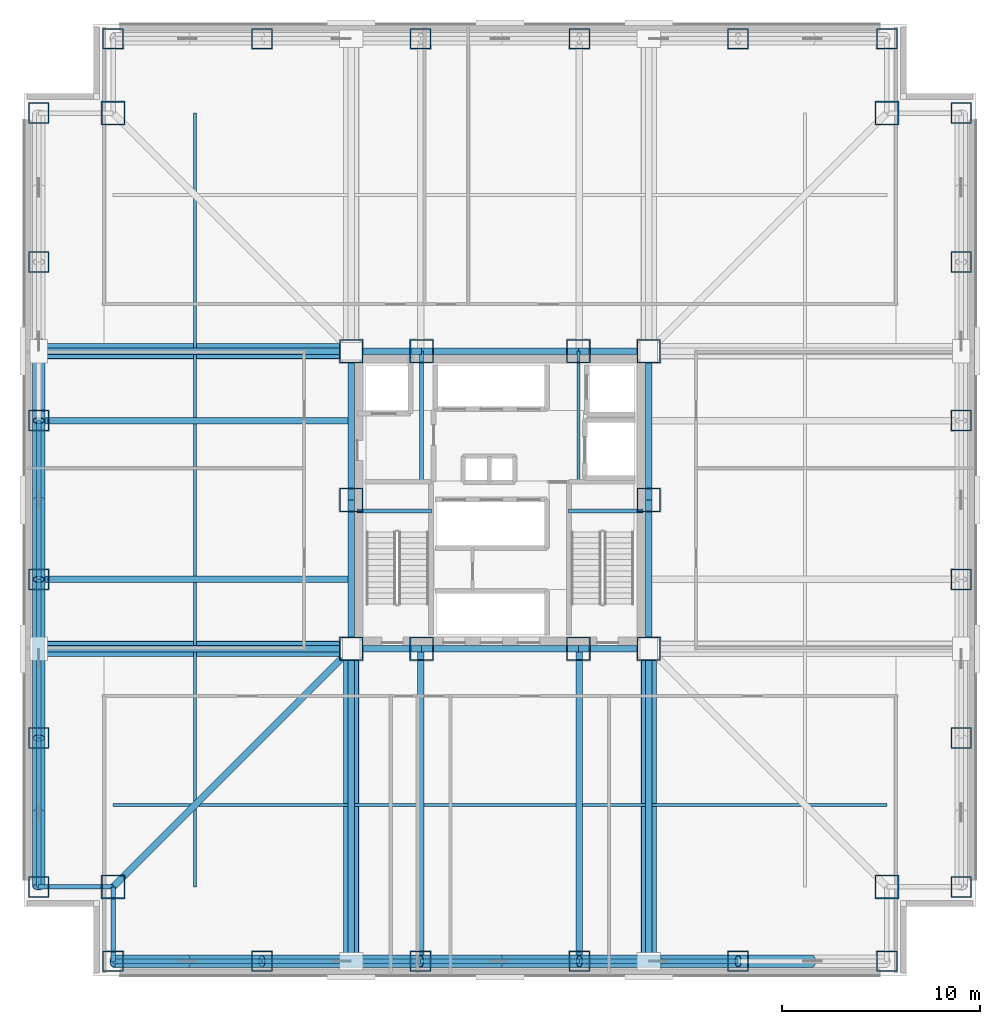
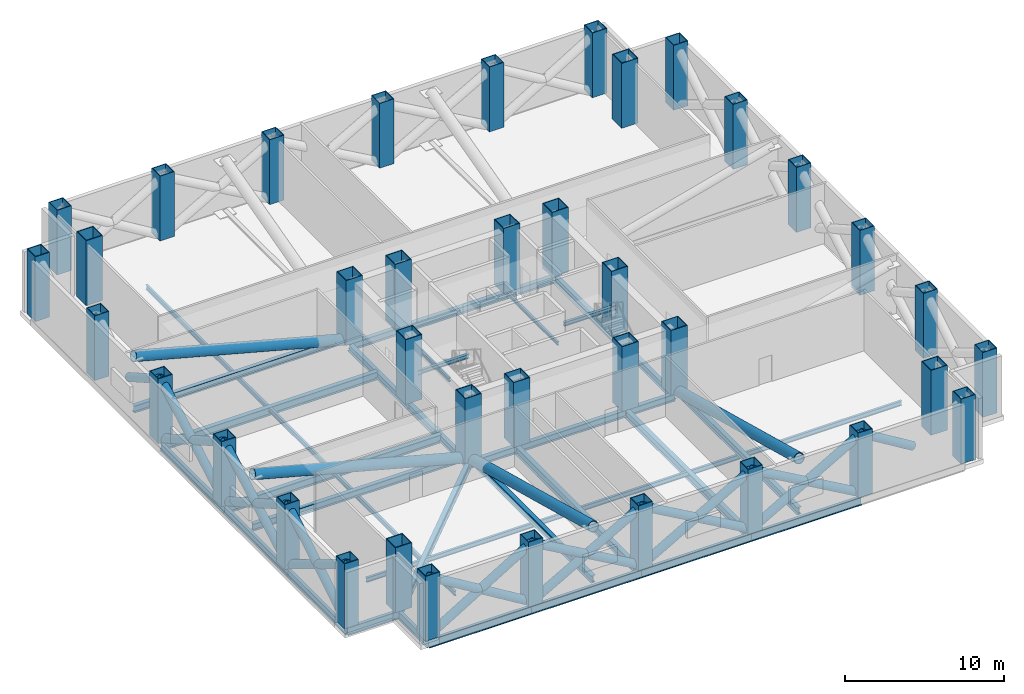
# One storey, part 1 of 8: 38 columns, 31 members, 30 beams.
"""IFC4 building model written with IfcOpenShell, lengths in metres."""

from ifc_helpers import new_model, si_unit, direction, frame, origin, origin_2d, place, context, subcontext, project, spatial, hollow_rectangle, hollow_circle, i_section, extrude, material, material_profile, profile_set, type_object, element, save


model = new_model("IFC4")

# Units and contexts
model_context = context("Model", 3, precision=1e-05, world=origin(), true_north=direction((0.0, 1.0)))
body_context = subcontext(model_context, "Body", "Model", "MODEL_VIEW")
ifc_project = project(units=[si_unit("LENGTHUNIT", "METRE"), si_unit("AREAUNIT", "SQUARE_METRE"), si_unit("VOLUMEUNIT", "CUBIC_METRE"), si_unit("PLANEANGLEUNIT", "RADIAN"), si_unit("MASSUNIT", "GRAM", prefix="KILO")], contexts=[model_context])

# Site, building, storey
site_placement = place(None, origin())
site = spatial("IfcSite", under=ifc_project, at=site_placement, CompositionType="ELEMENT")
building_placement = place(site_placement, origin())
building = spatial("IfcBuilding", under=site, at=building_placement, Name="Trevonay Congress Spire", CompositionType="ELEMENT")
storey_placement = place(building_placement, frame((0.0, 0.0, 83.0)))
storey = spatial("IfcBuildingStorey", under=building, at=storey_placement, Name="L21", CompositionType="ELEMENT", Elevation=83.0)

# Columns
ifc_material = material(Name="Steel ASTM A572 Grade 50", Category="steel")
ifc_material_profile_1 = material_profile(ifc_material, hollow_rectangle(XDim=1.199951171875, YDim=1.199951171875, WallThickness=0.054931640625, at=origin_2d()), Name="BOX 1200x1200x55")
ifc_profile_set_1 = profile_set([ifc_material_profile_1], Name="Steel ASTM A572 Grade 50")
column_type_1 = type_object("IfcColumnType", Name="COL-CORE-BOX1200", PredefinedType="COLUMN", material=ifc_profile_set_1)
for number, where, z_axis, x_axis, name in (
    (1, (-7.5, -7.5, 0.0), (0.0, 0.0, 1.0), (1.0, 0.0, 0.0), "L21 column C02 at CC-SW"),
    (2, (-3.949951171875, -7.5, 0.0), (0.0, 0.0, 1.0), (1.0, 0.0, 0.0), "L21 column C02 at CC-SMW"),
    (3, (3.949951171875, -7.5, 0.0), (0.0, 0.0, 1.0), (1.0, 0.0, 0.0), "L21 column C02 at CC-SME"),
    (4, (7.5, -7.5, 0.0), (0.0, 0.0, 1.0), (1.0, 0.0, 0.0), "L21 column C02 at CC-SE"),
    (5, (7.5, 0.0, 0.0), (0.0, 0.0, 1.0), (1.0, 0.0, 0.0), "L21 column C02 at CC-E"),
    (6, (7.5, 7.5, 0.0), (0.0, 0.0, 1.0), (1.0, 0.0, 0.0), "L21 column C02 at CC-NE"),
    (7, (3.949951171875, 7.5, 0.0), (0.0, 0.0, 1.0), (1.0, 0.0, 0.0), "L21 column C02 at CC-NME"),
    (8, (-3.949951171875, 7.5, 0.0), (0.0, 0.0, 1.0), (1.0, 0.0, 0.0), "L21 column C02 at CC-NMW"),
    (9, (-7.5, 7.5, 0.0), (0.0, 0.0, 1.0), (1.0, 0.0, 0.0), "L21 column C02 at CC-NW"),
    (10, (-7.5, 0.0, 0.0), (0.0, 0.0, 1.0), (1.0, 0.0, 0.0), "L21 column C02 at CC-W"),
):
    element("IfcColumn", number, at=place(storey_placement, frame(where, z_axis=z_axis, x_axis=x_axis)), inside=storey, type_object=column_type_1, Name=name, PredefinedType="COLUMN", context=body_context, shape_type="SweptSolid", body=[
        extrude(hollow_rectangle(XDim=1.199951171875, YDim=1.199951171875, WallThickness=0.054931640625, at=origin_2d()), origin(), (0.0, 0.0, 1.0), 5.0),
    ])
ifc_material_profile_2 = material_profile(ifc_material, hollow_rectangle(XDim=1.199951171875, YDim=1.199951171875, WallThickness=0.054931640625, at=origin_2d()), Name="BOX 1200x1200x55")
ifc_profile_set_2 = profile_set([ifc_material_profile_2], Name="Steel ASTM A572 Grade 50")
column_type_2 = type_object("IfcColumnType", Name="COL-NOTCH-BOX1200", PredefinedType="COLUMN", material=ifc_profile_set_2)
for number, where, z_axis, x_axis, name in (
    (11, (-19.5, -19.5, 0.0), (0.0, 0.0, 1.0), (1.0, 0.0, 0.0), "L21 column C19 at NC-SW"),
    (12, (19.5, -19.5, 0.0), (0.0, 0.0, 1.0), (1.0, 0.0, 0.0), "L21 column C19 at NC-SE"),
    (13, (19.5, 19.5, 0.0), (0.0, 0.0, 1.0), (1.0, 0.0, 0.0), "L21 column C19 at NC-NE"),
    (14, (-19.5, 19.5, 0.0), (0.0, 0.0, 1.0), (1.0, 0.0, 0.0), "L21 column C19 at NC-NW"),
):
    element("IfcColumn", number, at=place(storey_placement, frame(where, z_axis=z_axis, x_axis=x_axis)), inside=storey, type_object=column_type_2, Name=name, PredefinedType="COLUMN", context=body_context, shape_type="SweptSolid", body=[
        extrude(hollow_rectangle(XDim=1.199951171875, YDim=1.199951171875, WallThickness=0.054931640625, at=origin_2d()), origin(), (0.0, 0.0, 1.0), 5.0),
    ])
ifc_material_profile_3 = material_profile(ifc_material, hollow_rectangle(XDim=1.050048828125, YDim=1.050048828125, WallThickness=0.050048828125, at=origin_2d()), Name="BOX 1050x1050x50")
ifc_profile_set_3 = profile_set([ifc_material_profile_3], Name="Steel ASTM A572 Grade 50")
column_type_3 = type_object("IfcColumnType", Name="COL-TUBE-BOX1050", PredefinedType="COLUMN", material=ifc_profile_set_3)
for number, where, z_axis, x_axis, name in (
    (15, (-19.5, -23.25, 0.0), (0.0, 0.0, 1.0), (1.0, 0.0, 0.0), "L21 column C14 at TS-1"),
    (16, (-19.5, 23.25, 0.0), (0.0, 0.0, 1.0), (1.0, 0.0, 0.0), "L21 column C14 at TN-1"),
    (17, (-23.25, -19.5, 0.0), (0.0, 0.0, 1.0), (1.0, 0.0, 0.0), "L21 column C14 at TW-1"),
    (18, (23.25, -19.5, 0.0), (0.0, 0.0, 1.0), (1.0, 0.0, 0.0), "L21 column C14 at TE-1"),
    (19, (-12.0, -23.25, 0.0), (0.0, 0.0, 1.0), (1.0, 0.0, 0.0), "L21 column C14 at TS-2"),
    (20, (-12.0, 23.25, 0.0), (0.0, 0.0, 1.0), (1.0, 0.0, 0.0), "L21 column C14 at TN-2"),
    (21, (-23.25, -12.0, 0.0), (0.0, 0.0, 1.0), (1.0, 0.0, 0.0), "L21 column C14 at TW-2"),
    (22, (23.25, -12.0, 0.0), (0.0, 0.0, 1.0), (1.0, 0.0, 0.0), "L21 column C14 at TE-2"),
    (23, (-4.0, -23.25, 0.0), (0.0, 0.0, 1.0), (1.0, 0.0, 0.0), "L21 column C14 at TS-3"),
    (24, (-4.0, 23.25, 0.0), (0.0, 0.0, 1.0), (1.0, 0.0, 0.0), "L21 column C14 at TN-3"),
    (25, (-23.25, -4.0, 0.0), (0.0, 0.0, 1.0), (1.0, 0.0, 0.0), "L21 column C14 at TW-3"),
    (26, (23.25, -4.0, 0.0), (0.0, 0.0, 1.0), (1.0, 0.0, 0.0), "L21 column C14 at TE-3"),
    (27, (4.0, -23.25, 0.0), (0.0, 0.0, 1.0), (1.0, 0.0, 0.0), "L21 column C14 at TS-4"),
    (28, (4.0, 23.25, 0.0), (0.0, 0.0, 1.0), (1.0, 0.0, 0.0), "L21 column C14 at TN-4"),
    (29, (-23.25, 4.0, 0.0), (0.0, 0.0, 1.0), (1.0, 0.0, 0.0), "L21 column C14 at TW-4"),
    (30, (23.25, 4.0, 0.0), (0.0, 0.0, 1.0), (1.0, 0.0, 0.0), "L21 column C14 at TE-4"),
    (31, (12.0, -23.25, 0.0), (0.0, 0.0, 1.0), (1.0, 0.0, 0.0), "L21 column C14 at TS-5"),
    (32, (12.0, 23.25, 0.0), (0.0, 0.0, 1.0), (1.0, 0.0, 0.0), "L21 column C14 at TN-5"),
    (33, (-23.25, 12.0, 0.0), (0.0, 0.0, 1.0), (1.0, 0.0, 0.0), "L21 column C14 at TW-5"),
    (34, (23.25, 12.0, 0.0), (0.0, 0.0, 1.0), (1.0, 0.0, 0.0), "L21 column C14 at TE-5"),
    (35, (19.5, -23.25, 0.0), (0.0, 0.0, 1.0), (1.0, 0.0, 0.0), "L21 column C14 at TS-6"),
    (36, (19.5, 23.25, 0.0), (0.0, 0.0, 1.0), (1.0, 0.0, 0.0), "L21 column C14 at TN-6"),
    (37, (-23.25, 19.5, 0.0), (0.0, 0.0, 1.0), (1.0, 0.0, 0.0), "L21 column C14 at TW-6"),
    (38, (23.25, 19.5, 0.0), (0.0, 0.0, 1.0), (1.0, 0.0, 0.0), "L21 column C14 at TE-6"),
):
    element("IfcColumn", number, at=place(storey_placement, frame(where, z_axis=z_axis, x_axis=x_axis)), inside=storey, type_object=column_type_3, Name=name, PredefinedType="COLUMN", context=body_context, shape_type="SweptSolid", body=[
        extrude(hollow_rectangle(XDim=1.050048828125, YDim=1.050048828125, WallThickness=0.050048828125, at=origin_2d()), origin(), (0.0, 0.0, 1.0), 5.0),
    ])

# Beams
ifc_material_profile_4 = material_profile(ifc_material, i_section(OverallWidth=0.31201171875, OverallDepth=0.54296875, WebThickness=0.0126953125, FlangeThickness=0.020263671875, FilletRadius=0.014892578125, at=origin_2d()), Name="W530x150")
ifc_profile_set_4 = profile_set([ifc_material_profile_4], Name="Steel ASTM A572 Grade 50")
beam_type_1 = type_object("IfcBeamType", Name="BM-GIRD-W530X150", PredefinedType="BEAM", material=ifc_profile_set_4)
beam_1_placement = place(storey_placement, frame((-7.5, -7.5, -0.62158203125), z_axis=(1.0, 0.0, 0.0), x_axis=(0.0, 1.0, 0.0)))
element("IfcBeam", 39, at=beam_1_placement, inside=storey, type_object=beam_type_1, Name="L21 structural beam BM-L21-CR-S1", PredefinedType="BEAM", context=body_context, shape_type="SweptSolid", body=[
    extrude(i_section(OverallWidth=0.31201171875, OverallDepth=0.54296875, WebThickness=0.0126953125, FlangeThickness=0.020263671875, FilletRadius=0.014892578125, at=origin_2d()), origin(), (0.0, 0.0, 1.0), 3.550048828125),
])
beam_2_placement = place(storey_placement, frame((-3.949951171875, -7.5, -0.62158203125), z_axis=(1.0, 0.0, 0.0), x_axis=(0.0, 1.0, 0.0)))
element("IfcBeam", 40, at=beam_2_placement, inside=storey, type_object=beam_type_1, Name="L21 structural beam BM-L21-CR-S2", PredefinedType="BEAM", context=body_context, shape_type="SweptSolid", body=[
    extrude(i_section(OverallWidth=0.31201171875, OverallDepth=0.54296875, WebThickness=0.0126953125, FlangeThickness=0.020263671875, FilletRadius=0.014892578125, at=origin_2d()), origin(), (0.0, 0.0, 1.0), 7.89990234375),
])
for number, where, z_axis, x_axis, name in (
    (41, (3.949951171875, -7.5, -0.62158203125), (1.0, 0.0, 0.0), (0.0, 1.0, 0.0), "L21 structural beam BM-L21-CR-S3"),
    (42, (-7.5, 7.5, -0.62158203125), (1.0, 0.0, 0.0), (0.0, 1.0, 0.0), "L21 structural beam BM-L21-CR-N1"),
):
    element("IfcBeam", number, at=place(storey_placement, frame(where, z_axis=z_axis, x_axis=x_axis)), inside=storey, type_object=beam_type_1, Name=name, PredefinedType="BEAM", context=body_context, shape_type="SweptSolid", body=[
        extrude(i_section(OverallWidth=0.31201171875, OverallDepth=0.54296875, WebThickness=0.0126953125, FlangeThickness=0.020263671875, FilletRadius=0.014892578125, at=origin_2d()), origin(), (0.0, 0.0, 1.0), 3.550048828125),
    ])
beam_3_placement = place(storey_placement, frame((-3.949951171875, 7.5, -0.62158203125), z_axis=(1.0, 0.0, 0.0), x_axis=(0.0, 1.0, 0.0)))
element("IfcBeam", 43, at=beam_3_placement, inside=storey, type_object=beam_type_1, Name="L21 structural beam BM-L21-CR-N2", PredefinedType="BEAM", context=body_context, shape_type="SweptSolid", body=[
    extrude(i_section(OverallWidth=0.31201171875, OverallDepth=0.54296875, WebThickness=0.0126953125, FlangeThickness=0.020263671875, FilletRadius=0.014892578125, at=origin_2d()), origin(), (0.0, 0.0, 1.0), 7.89990234375),
])
beam_4_placement = place(storey_placement, frame((3.949951171875, 7.5, -0.62158203125), z_axis=(1.0, 0.0, 0.0), x_axis=(0.0, 1.0, 0.0)))
element("IfcBeam", 44, at=beam_4_placement, inside=storey, type_object=beam_type_1, Name="L21 structural beam BM-L21-CR-N3", PredefinedType="BEAM", context=body_context, shape_type="SweptSolid", body=[
    extrude(i_section(OverallWidth=0.31201171875, OverallDepth=0.54296875, WebThickness=0.0126953125, FlangeThickness=0.020263671875, FilletRadius=0.014892578125, at=origin_2d()), origin(), (0.0, 0.0, 1.0), 3.550048828125),
])
for number, where, z_axis, x_axis, name in (
    (45, (-7.5, -7.5, -0.62158203125), (0.0, 1.0, 0.0), (-1.0, 0.0, 0.0), "L21 structural beam BM-L21-CR-W1"),
    (46, (-7.5, 0.0, -0.62158203125), (0.0, 1.0, 0.0), (-1.0, 0.0, 0.0), "L21 structural beam BM-L21-CR-W2"),
    (47, (7.5, -7.5, -0.62158203125), (0.0, 1.0, 0.0), (-1.0, 0.0, 0.0), "L21 structural beam BM-L21-CR-E1"),
    (48, (7.5, 0.0, -0.62158203125), (0.0, 1.0, 0.0), (-1.0, 0.0, 0.0), "L21 structural beam BM-L21-CR-E2"),
):
    element("IfcBeam", number, at=place(storey_placement, frame(where, z_axis=z_axis, x_axis=x_axis)), inside=storey, type_object=beam_type_1, Name=name, PredefinedType="BEAM", context=body_context, shape_type="SweptSolid", body=[
        extrude(i_section(OverallWidth=0.31201171875, OverallDepth=0.54296875, WebThickness=0.0126953125, FlangeThickness=0.020263671875, FilletRadius=0.014892578125, at=origin_2d()), origin(), (0.0, 0.0, 1.0), 7.5),
    ])
ifc_material_profile_5 = material_profile(ifc_material, i_section(OverallWidth=0.324951171875, OverallDepth=0.615966796875, WebThickness=0.013916015625, FlangeThickness=0.021484375, FilletRadius=0.01806640625, at=origin_2d()), Name="W610x174")
ifc_profile_set_5 = profile_set([ifc_material_profile_5], Name="Steel ASTM A572 Grade 50")
beam_type_2 = type_object("IfcBeamType", Name="BM-GIRD-W610X174", PredefinedType="BEAM", material=ifc_profile_set_5)
beam_5_placement = place(storey_placement, frame((-7.5, -7.5, -0.657958984375), z_axis=(-0.707106781187, -0.707106781187, 0.0), x_axis=(0.707106781187, -0.707106781187, 0.0)))
element("IfcBeam", 49, at=beam_5_placement, inside=storey, type_object=beam_type_2, Name="L21 structural beam BM-L21-CDSW", PredefinedType="BEAM", context=body_context, shape_type="SweptSolid", body=[
    extrude(i_section(OverallWidth=0.324951171875, OverallDepth=0.615966796875, WebThickness=0.013916015625, FlangeThickness=0.021484375, FilletRadius=0.01806640625, at=origin_2d()), origin(), (0.0, 0.0, 1.0), 16.970458984375),
])
for number, where, z_axis, x_axis, name in (
    (50, (-4.0, -7.5, -0.657958984375), (0.0, -1.0, 0.0), (1.0, 0.0, 0.0), "L21 structural beam BM-L21-GS-M"),
    (51, (-7.5, -4.0, -0.657958984375), (-1.0, 0.0, 0.0), (0.0, -1.0, 0.0), "L21 structural beam BM-L21-GW-M"),
    (52, (4.0, -7.5, -0.657958984375), (0.0, -1.0, 0.0), (1.0, 0.0, 0.0), "L21 structural beam BM-L21-GS-P"),
    (53, (-7.5, 4.0, -0.657958984375), (-1.0, 0.0, 0.0), (0.0, -1.0, 0.0), "L21 structural beam BM-L21-GW-P"),
):
    element("IfcBeam", number, at=place(storey_placement, frame(where, z_axis=z_axis, x_axis=x_axis)), inside=storey, type_object=beam_type_2, Name=name, PredefinedType="BEAM", context=body_context, shape_type="SweptSolid", body=[
        extrude(i_section(OverallWidth=0.324951171875, OverallDepth=0.615966796875, WebThickness=0.013916015625, FlangeThickness=0.021484375, FilletRadius=0.01806640625, at=origin_2d()), origin(), (0.0, 0.0, 1.0), 15.75),
    ])
ifc_material_profile_6 = material_profile(ifc_material, i_section(OverallWidth=0.22998046875, OverallDepth=0.616943359375, WebThickness=0.01318359375, FlangeThickness=0.022216796875, FilletRadius=0.01611328125, at=origin_2d()), Name="W610x140")
ifc_profile_set_6 = profile_set([ifc_material_profile_6], Name="Steel ASTM A572 Grade 50")
beam_type_3 = type_object("IfcBeamType", Name="BM-RING-W610X140", PredefinedType="BEAM", material=ifc_profile_set_6)
for number, where, z_axis, x_axis, name in (
    (54, (-19.5, -23.25, -0.658447265625), (1.0, 0.0, 0.0), (0.0, 1.0, 0.0), "L21 structural beam BM-L21-PS1"),
    (55, (-23.25, -19.5, -0.658447265625), (0.0, 1.0, 0.0), (-1.0, 0.0, 0.0), "L21 structural beam BM-L21-PW1"),
):
    element("IfcBeam", number, at=place(storey_placement, frame(where, z_axis=z_axis, x_axis=x_axis)), inside=storey, type_object=beam_type_3, Name=name, PredefinedType="BEAM", context=body_context, shape_type="SweptSolid", body=[
        extrude(i_section(OverallWidth=0.22998046875, OverallDepth=0.616943359375, WebThickness=0.01318359375, FlangeThickness=0.022216796875, FilletRadius=0.01611328125, at=origin_2d()), origin(), (0.0, 0.0, 1.0), 7.5),
    ])
for number, where, z_axis, x_axis, name in (
    (56, (-12.0, -23.25, -0.658447265625), (1.0, 0.0, 0.0), (0.0, 1.0, 0.0), "L21 structural beam BM-L21-PS2"),
    (57, (-23.25, -12.0, -0.658447265625), (0.0, 1.0, 0.0), (-1.0, 0.0, 0.0), "L21 structural beam BM-L21-PW2"),
    (58, (-4.0, -23.25, -0.658447265625), (1.0, 0.0, 0.0), (0.0, 1.0, 0.0), "L21 structural beam BM-L21-PS3"),
    (59, (-23.25, -4.0, -0.658447265625), (0.0, 1.0, 0.0), (-1.0, 0.0, 0.0), "L21 structural beam BM-L21-PW3"),
    (60, (4.0, -23.25, -0.658447265625), (1.0, 0.0, 0.0), (0.0, 1.0, 0.0), "L21 structural beam BM-L21-PS4"),
):
    element("IfcBeam", number, at=place(storey_placement, frame(where, z_axis=z_axis, x_axis=x_axis)), inside=storey, type_object=beam_type_3, Name=name, PredefinedType="BEAM", context=body_context, shape_type="SweptSolid", body=[
        extrude(i_section(OverallWidth=0.22998046875, OverallDepth=0.616943359375, WebThickness=0.01318359375, FlangeThickness=0.022216796875, FilletRadius=0.01611328125, at=origin_2d()), origin(), (0.0, 0.0, 1.0), 8.0),
    ])
for number, where, z_axis, x_axis, name in (
    (61, (-19.5, -23.25, -0.658447265625), (0.0, 1.0, 0.0), (-1.0, 0.0, 0.0), "L21 structural beam BM-L21-N1SW"),
    (62, (-23.25, -19.5, -0.658447265625), (1.0, 0.0, 0.0), (0.0, 1.0, 0.0), "L21 structural beam BM-L21-N2SW"),
):
    element("IfcBeam", number, at=place(storey_placement, frame(where, z_axis=z_axis, x_axis=x_axis)), inside=storey, type_object=beam_type_3, Name=name, PredefinedType="BEAM", context=body_context, shape_type="SweptSolid", body=[
        extrude(i_section(OverallWidth=0.22998046875, OverallDepth=0.616943359375, WebThickness=0.01318359375, FlangeThickness=0.022216796875, FilletRadius=0.01611328125, at=origin_2d()), origin(), (0.0, 0.0, 1.0), 3.75),
    ])
ifc_material_profile_7 = material_profile(ifc_material, i_section(OverallWidth=0.172119140625, OverallDepth=0.35791015625, WebThickness=0.0078125, FlangeThickness=0.01318359375, FilletRadius=0.011962890625, at=origin_2d()), Name="W360x57.8")
ifc_profile_set_7 = profile_set([ifc_material_profile_7], Name="Steel ASTM A572 Grade 50")
beam_type_4 = type_object("IfcBeamType", Name="JS-COMP-W360X57", PredefinedType="JOIST", material=ifc_profile_set_7)
for number, where, z_axis, x_axis, name in (
    (63, (-19.5, -15.375, -0.529052734375), (1.0, 0.0, 0.0), (0.0, 1.0, 0.0), "L21 structural beam JS-L21-RING-S"),
    (64, (-15.375, -19.5, -0.529052734375), (0.0, 1.0, 0.0), (-1.0, 0.0, 0.0), "L21 structural beam JS-L21-RING-W"),
):
    element("IfcBeam", number, at=place(storey_placement, frame(where, z_axis=z_axis, x_axis=x_axis)), inside=storey, type_object=beam_type_4, Name=name, PredefinedType="JOIST", context=body_context, shape_type="SweptSolid", body=[
        extrude(i_section(OverallWidth=0.172119140625, OverallDepth=0.35791015625, WebThickness=0.0078125, FlangeThickness=0.01318359375, FilletRadius=0.011962890625, at=origin_2d()), origin(), (0.0, 0.0, 1.0), 39.0),
    ])
ifc_material_profile_8 = material_profile(ifc_material, i_section(OverallWidth=0.2041015625, OverallDepth=0.305908203125, WebThickness=0.008544921875, FlangeThickness=0.0146484375, FilletRadius=0.010986328125, at=origin_2d()), Name="W310x67")
ifc_profile_set_8 = profile_set([ifc_material_profile_8], Name="Steel ASTM A572 Grade 50")
beam_type_5 = type_object("IfcBeamType", Name="LN-CORE-W310X67", PredefinedType="LINTEL", material=ifc_profile_set_8)
beam_6_placement = place(storey_placement, frame((-3.949951171875, 1.0, -0.5029296875), z_axis=(0.0, 1.0, 0.0), x_axis=(-1.0, 0.0, 0.0)))
element("IfcBeam", 65, at=beam_6_placement, inside=storey, type_object=beam_type_5, Name="L21 structural beam LIN-L21-W", PredefinedType="LINTEL", context=body_context, shape_type="SweptSolid", body=[
    extrude(i_section(OverallWidth=0.2041015625, OverallDepth=0.305908203125, WebThickness=0.008544921875, FlangeThickness=0.0146484375, FilletRadius=0.010986328125, at=origin_2d()), origin(), (0.0, 0.0, 1.0), 6.5),
])
for number, where, z_axis, x_axis, name in (
    (66, (-7.199951171875, -0.550048828125, 2.14697265625), (1.0, 0.0, 0.0), (0.0, 1.0, 0.0), "L21 structural beam BM-L21-HL-ST1"),
    (67, (3.449951171875, -0.550048828125, 2.14697265625), (1.0, 0.0, 0.0), (0.0, 1.0, 0.0), "L21 structural beam BM-L21-HL-ST2"),
):
    element("IfcBeam", number, at=place(storey_placement, frame(where, z_axis=z_axis, x_axis=x_axis)), inside=storey, type_object=beam_type_5, Name=name, PredefinedType="LINTEL", context=body_context, shape_type="SweptSolid", body=[
        extrude(i_section(OverallWidth=0.2041015625, OverallDepth=0.305908203125, WebThickness=0.008544921875, FlangeThickness=0.0146484375, FilletRadius=0.010986328125, at=origin_2d()), origin(), (0.0, 0.0, 1.0), 3.75),
    ])
ifc_material_profile_9 = material_profile(ifc_material, i_section(OverallWidth=0.14794921875, OverallDepth=0.26611328125, WebThickness=0.007568359375, FlangeThickness=0.012939453125, FilletRadius=0.010009765625, at=origin_2d()), Name="W250x44.8")
ifc_profile_set_9 = profile_set([ifc_material_profile_9], Name="Steel ASTM A572 Grade 50")
beam_type_6 = type_object("IfcBeamType", Name="LN-DOOR-W250X45", PredefinedType="LINTEL", material=ifc_profile_set_9)
beam_7_placement = place(storey_placement, frame((3.949951171875, 1.0, -0.48291015625), z_axis=(0.0, 1.0, 0.0), x_axis=(-1.0, 0.0, 0.0)))
element("IfcBeam", 68, at=beam_7_placement, inside=storey, type_object=beam_type_6, Name="L21 structural beam LIN-L21-E", PredefinedType="LINTEL", context=body_context, shape_type="SweptSolid", body=[
    extrude(i_section(OverallWidth=0.14794921875, OverallDepth=0.26611328125, WebThickness=0.007568359375, FlangeThickness=0.012939453125, FilletRadius=0.010009765625, at=origin_2d()), origin(), (0.0, 0.0, 1.0), 6.5),
])

# Members
ifc_material_profile_10 = material_profile(ifc_material, i_section(OverallWidth=0.31201171875, OverallDepth=0.54296875, WebThickness=0.0126953125, FlangeThickness=0.020263671875, FilletRadius=0.014892578125, at=origin_2d()), Name="W530x150")
ifc_profile_set_10 = profile_set([ifc_material_profile_10], Name="Steel ASTM A572 Grade 50")
member_type_1 = type_object("IfcMemberType", Name="MBR-CHORD-HSS500", PredefinedType="CHORD", material=ifc_profile_set_10)
for number, where, z_axis, x_axis, name in (
    (69, (-7.5, -7.5, 0.10009765625), (0.0, -1.0, 0.0), (1.0, 0.0, 0.0), "L21 outrigger bottom chord OS-W"),
    (70, (7.5, -7.5, 0.10009765625), (0.0, -1.0, 0.0), (1.0, 0.0, 0.0), "L21 outrigger bottom chord OS-E"),
    (71, (-7.5, -7.5, 0.10009765625), (-1.0, 0.0, 0.0), (0.0, -1.0, 0.0), "L21 outrigger bottom chord OW-S"),
    (72, (-7.5, 7.5, 0.10009765625), (-1.0, 0.0, 0.0), (0.0, -1.0, 0.0), "L21 outrigger bottom chord OW-N"),
):
    element("IfcMember", number, at=place(storey_placement, frame(where, z_axis=z_axis, x_axis=x_axis)), inside=storey, type_object=member_type_1, Name=name, PredefinedType="CHORD", context=body_context, shape_type="SweptSolid", body=[
        extrude(i_section(OverallWidth=0.31201171875, OverallDepth=0.54296875, WebThickness=0.0126953125, FlangeThickness=0.020263671875, FilletRadius=0.014892578125, at=origin_2d()), origin(), (0.0, 0.0, 1.0), 15.75),
    ])
ifc_material_profile_11 = material_profile(ifc_material, hollow_circle(Radius=0.381103515625, WallThickness=0.0400390625, at=origin_2d()), Name="CHS 762x40")
ifc_profile_set_11 = profile_set([ifc_material_profile_11], Name="Steel ASTM A572 Grade 50")
member_type_2 = type_object("IfcMemberType", Name="MBR-OUTRIG-CHS762", PredefinedType="BRACE", material=ifc_profile_set_11)
for number, where, z_axis, x_axis, name in (
    (73, (-7.5, -7.5, -0.050048828125), (0.0, -0.96623568537, 0.25765985391), (1.0, 0.0, 0.0), "L21 outrigger diagonal OS-W"),
    (74, (7.5, -7.5, -0.050048828125), (0.0, -0.96623568537, 0.25765985391), (1.0, 0.0, 0.0), "L21 outrigger diagonal OS-E"),
    (75, (-7.5, -7.5, -0.050048828125), (-0.96623568537, 0.0, 0.25765985391), (0.0, -1.0, 0.0), "L21 outrigger diagonal OW-S"),
    (76, (-7.5, 7.5, -0.050048828125), (-0.96623568537, 0.0, 0.25765985391), (0.0, -1.0, 0.0), "L21 outrigger diagonal OW-N"),
):
    element("IfcMember", number, at=place(storey_placement, frame(where, z_axis=z_axis, x_axis=x_axis)), inside=storey, type_object=member_type_2, Name=name, PredefinedType="BRACE", context=body_context, shape_type="SweptSolid", body=[
        extrude(hollow_circle(Radius=0.381103515625, WallThickness=0.0400390625, at=origin_2d()), origin(), (0.0, 0.0, 1.0), 16.30029296875),
    ])
ifc_material_profile_12 = material_profile(ifc_material, hollow_circle(Radius=0.304931640625, WallThickness=0.031982421875, at=origin_2d()), Name="CHS 610x32")
ifc_profile_set_12 = profile_set([ifc_material_profile_12], Name="Steel ASTM A572 Grade 50")
member_type_3 = type_object("IfcMemberType", Name="MBR-TUBE-CHS610", PredefinedType="BRACE", material=ifc_profile_set_12)
member_1_placement = place(storey_placement, frame((-19.5, -23.25, -0.050048828125), z_axis=(0.85496560345, 0.0, 0.518684698942), x_axis=(0.0, 1.0, 0.0)))
element("IfcMember", 77, at=member_1_placement, inside=storey, type_object=member_type_3, Name="L21 continuous belt truss diagonal S0-1", PredefinedType="BRACE", context=body_context, shape_type="SweptSolid", body=[
    extrude(hollow_circle(Radius=0.304931640625, WallThickness=0.031982421875, at=origin_2d()), origin(), (0.0, 0.0, 1.0), 8.772216796875),
])
member_2_placement = place(storey_placement, frame((-19.5, -23.25, 4.5), z_axis=(0.854977945215, 0.0, -0.518664355046), x_axis=(0.0, 1.0, 0.0)))
element("IfcMember", 78, at=member_2_placement, inside=storey, type_object=member_type_3, Name="L21 split belt truss diagonal segment S0-2A", PredefinedType="BRACE", context=body_context, shape_type="SweptSolid", body=[
    extrude(hollow_circle(Radius=0.304931640625, WallThickness=0.031982421875, at=origin_2d()), origin(), (0.0, 0.0, 1.0), 4.385986328125),
])
member_3_placement = place(storey_placement, frame((-15.75, -23.25, 2.22509765625), z_axis=(0.854953261558, 0.0, -0.518705041957), x_axis=(0.0, 1.0, 0.0)))
element("IfcMember", 79, at=member_3_placement, inside=storey, type_object=member_type_3, Name="L21 split belt truss diagonal segment S0-2B", PredefinedType="BRACE", context=body_context, shape_type="SweptSolid", body=[
    extrude(hollow_circle(Radius=0.304931640625, WallThickness=0.031982421875, at=origin_2d()), origin(), (0.0, 0.0, 1.0), 4.38623046875),
])
member_4_placement = place(storey_placement, frame((-12.0, -23.25, -0.050048828125), z_axis=(0.869242062276, 0.0, 0.494386728352), x_axis=(0.0, 1.0, 0.0)))
element("IfcMember", 80, at=member_4_placement, inside=storey, type_object=member_type_3, Name="L21 continuous belt truss diagonal S1-1", PredefinedType="BRACE", context=body_context, shape_type="SweptSolid", body=[
    extrude(hollow_circle(Radius=0.304931640625, WallThickness=0.031982421875, at=origin_2d()), origin(), (0.0, 0.0, 1.0), 9.203369140625),
])
member_5_placement = place(storey_placement, frame((-12.0, -23.25, 4.5), z_axis=(0.869253462023, 0.0, -0.494366684517), x_axis=(0.0, 1.0, 0.0)))
element("IfcMember", 81, at=member_5_placement, inside=storey, type_object=member_type_3, Name="L21 split belt truss diagonal segment S1-2A", PredefinedType="BRACE", context=body_context, shape_type="SweptSolid", body=[
    extrude(hollow_circle(Radius=0.304931640625, WallThickness=0.031982421875, at=origin_2d()), origin(), (0.0, 0.0, 1.0), 4.6015625),
])
member_6_placement = place(storey_placement, frame((-8.0, -23.25, 2.22509765625), z_axis=(0.869230662365, 0.0, -0.494406771398), x_axis=(0.0, 1.0, 0.0)))
element("IfcMember", 82, at=member_6_placement, inside=storey, type_object=member_type_3, Name="L21 split belt truss diagonal segment S1-2B", PredefinedType="BRACE", context=body_context, shape_type="SweptSolid", body=[
    extrude(hollow_circle(Radius=0.304931640625, WallThickness=0.031982421875, at=origin_2d()), origin(), (0.0, 0.0, 1.0), 4.601806640625),
])
member_7_placement = place(storey_placement, frame((-4.0, -23.25, -0.050048828125), z_axis=(0.869242062276, 0.0, 0.494386728352), x_axis=(0.0, 1.0, 0.0)))
element("IfcMember", 83, at=member_7_placement, inside=storey, type_object=member_type_3, Name="L21 continuous belt truss diagonal S2-1", PredefinedType="BRACE", context=body_context, shape_type="SweptSolid", body=[
    extrude(hollow_circle(Radius=0.304931640625, WallThickness=0.031982421875, at=origin_2d()), origin(), (0.0, 0.0, 1.0), 9.203369140625),
])
member_8_placement = place(storey_placement, frame((-4.0, -23.25, 4.5), z_axis=(0.869253462023, 0.0, -0.494366684517), x_axis=(0.0, 1.0, 0.0)))
element("IfcMember", 84, at=member_8_placement, inside=storey, type_object=member_type_3, Name="L21 split belt truss diagonal segment S2-2A", PredefinedType="BRACE", context=body_context, shape_type="SweptSolid", body=[
    extrude(hollow_circle(Radius=0.304931640625, WallThickness=0.031982421875, at=origin_2d()), origin(), (0.0, 0.0, 1.0), 4.6015625),
])
member_9_placement = place(storey_placement, frame((0.0, -23.25, 2.22509765625), z_axis=(0.869230662365, 0.0, -0.494406771398), x_axis=(0.0, 1.0, 0.0)))
element("IfcMember", 85, at=member_9_placement, inside=storey, type_object=member_type_3, Name="L21 split belt truss diagonal segment S2-2B", PredefinedType="BRACE", context=body_context, shape_type="SweptSolid", body=[
    extrude(hollow_circle(Radius=0.304931640625, WallThickness=0.031982421875, at=origin_2d()), origin(), (0.0, 0.0, 1.0), 4.601806640625),
])
member_10_placement = place(storey_placement, frame((4.0, -23.25, -0.050048828125), z_axis=(0.869242062276, 0.0, 0.494386728352), x_axis=(0.0, 1.0, 0.0)))
element("IfcMember", 86, at=member_10_placement, inside=storey, type_object=member_type_3, Name="L21 continuous belt truss diagonal S3-1", PredefinedType="BRACE", context=body_context, shape_type="SweptSolid", body=[
    extrude(hollow_circle(Radius=0.304931640625, WallThickness=0.031982421875, at=origin_2d()), origin(), (0.0, 0.0, 1.0), 9.203369140625),
])
member_11_placement = place(storey_placement, frame((4.0, -23.25, 4.5), z_axis=(0.869253462023, 0.0, -0.494366684517), x_axis=(0.0, 1.0, 0.0)))
element("IfcMember", 87, at=member_11_placement, inside=storey, type_object=member_type_3, Name="L21 split belt truss diagonal segment S3-2A", PredefinedType="BRACE", context=body_context, shape_type="SweptSolid", body=[
    extrude(hollow_circle(Radius=0.304931640625, WallThickness=0.031982421875, at=origin_2d()), origin(), (0.0, 0.0, 1.0), 4.6015625),
])
member_12_placement = place(storey_placement, frame((8.0, -23.25, 2.22509765625), z_axis=(0.869230662365, 0.0, -0.494406771398), x_axis=(0.0, 1.0, 0.0)))
element("IfcMember", 88, at=member_12_placement, inside=storey, type_object=member_type_3, Name="L21 split belt truss diagonal segment S3-2B", PredefinedType="BRACE", context=body_context, shape_type="SweptSolid", body=[
    extrude(hollow_circle(Radius=0.304931640625, WallThickness=0.031982421875, at=origin_2d()), origin(), (0.0, 0.0, 1.0), 4.601806640625),
])
member_13_placement = place(storey_placement, frame((12.0, -23.25, 4.5), z_axis=(0.854977945215, 0.0, -0.518664355046), x_axis=(0.0, 1.0, 0.0)))
element("IfcMember", 89, at=member_13_placement, inside=storey, type_object=member_type_3, Name="L21 split belt truss diagonal segment S4-2A", PredefinedType="BRACE", context=body_context, shape_type="SweptSolid", body=[
    extrude(hollow_circle(Radius=0.304931640625, WallThickness=0.031982421875, at=origin_2d()), origin(), (0.0, 0.0, 1.0), 4.385986328125),
])
member_14_placement = place(storey_placement, frame((-23.25, -19.5, -0.050048828125), z_axis=(0.0, 0.85496560345, 0.518684698942), x_axis=(-1.0, 0.0, 0.0)))
element("IfcMember", 90, at=member_14_placement, inside=storey, type_object=member_type_3, Name="L21 continuous belt truss diagonal W0-1", PredefinedType="BRACE", context=body_context, shape_type="SweptSolid", body=[
    extrude(hollow_circle(Radius=0.304931640625, WallThickness=0.031982421875, at=origin_2d()), origin(), (0.0, 0.0, 1.0), 8.772216796875),
])
member_15_placement = place(storey_placement, frame((-23.25, -19.5, 4.5), z_axis=(0.0, 0.854977945215, -0.518664355046), x_axis=(-1.0, 0.0, 0.0)))
element("IfcMember", 91, at=member_15_placement, inside=storey, type_object=member_type_3, Name="L21 split belt truss diagonal segment W0-2A", PredefinedType="BRACE", context=body_context, shape_type="SweptSolid", body=[
    extrude(hollow_circle(Radius=0.304931640625, WallThickness=0.031982421875, at=origin_2d()), origin(), (0.0, 0.0, 1.0), 4.385986328125),
])
member_16_placement = place(storey_placement, frame((-23.25, -15.75, 2.22509765625), z_axis=(0.0, 0.854953261558, -0.518705041957), x_axis=(-1.0, 0.0, 0.0)))
element("IfcMember", 92, at=member_16_placement, inside=storey, type_object=member_type_3, Name="L21 split belt truss diagonal segment W0-2B", PredefinedType="BRACE", context=body_context, shape_type="SweptSolid", body=[
    extrude(hollow_circle(Radius=0.304931640625, WallThickness=0.031982421875, at=origin_2d()), origin(), (0.0, 0.0, 1.0), 4.38623046875),
])
member_17_placement = place(storey_placement, frame((-23.25, -12.0, -0.050048828125), z_axis=(0.0, 0.869242062276, 0.494386728352), x_axis=(-1.0, 0.0, 0.0)))
element("IfcMember", 93, at=member_17_placement, inside=storey, type_object=member_type_3, Name="L21 continuous belt truss diagonal W1-1", PredefinedType="BRACE", context=body_context, shape_type="SweptSolid", body=[
    extrude(hollow_circle(Radius=0.304931640625, WallThickness=0.031982421875, at=origin_2d()), origin(), (0.0, 0.0, 1.0), 9.203369140625),
])
member_18_placement = place(storey_placement, frame((-23.25, -12.0, 4.5), z_axis=(0.0, 0.869253462023, -0.494366684517), x_axis=(-1.0, 0.0, 0.0)))
element("IfcMember", 94, at=member_18_placement, inside=storey, type_object=member_type_3, Name="L21 split belt truss diagonal segment W1-2A", PredefinedType="BRACE", context=body_context, shape_type="SweptSolid", body=[
    extrude(hollow_circle(Radius=0.304931640625, WallThickness=0.031982421875, at=origin_2d()), origin(), (0.0, 0.0, 1.0), 4.6015625),
])
member_19_placement = place(storey_placement, frame((-23.25, -8.0, 2.22509765625), z_axis=(0.0, 0.869230662365, -0.494406771398), x_axis=(-1.0, 0.0, 0.0)))
element("IfcMember", 95, at=member_19_placement, inside=storey, type_object=member_type_3, Name="L21 split belt truss diagonal segment W1-2B", PredefinedType="BRACE", context=body_context, shape_type="SweptSolid", body=[
    extrude(hollow_circle(Radius=0.304931640625, WallThickness=0.031982421875, at=origin_2d()), origin(), (0.0, 0.0, 1.0), 4.601806640625),
])
member_20_placement = place(storey_placement, frame((-23.25, -4.0, -0.050048828125), z_axis=(0.0, 0.869242062276, 0.494386728352), x_axis=(-1.0, 0.0, 0.0)))
element("IfcMember", 96, at=member_20_placement, inside=storey, type_object=member_type_3, Name="L21 continuous belt truss diagonal W2-1", PredefinedType="BRACE", context=body_context, shape_type="SweptSolid", body=[
    extrude(hollow_circle(Radius=0.304931640625, WallThickness=0.031982421875, at=origin_2d()), origin(), (0.0, 0.0, 1.0), 9.203369140625),
])
member_21_placement = place(storey_placement, frame((-23.25, -4.0, 4.5), z_axis=(0.0, 0.869253462023, -0.494366684517), x_axis=(-1.0, 0.0, 0.0)))
element("IfcMember", 97, at=member_21_placement, inside=storey, type_object=member_type_3, Name="L21 split belt truss diagonal segment W2-2A", PredefinedType="BRACE", context=body_context, shape_type="SweptSolid", body=[
    extrude(hollow_circle(Radius=0.304931640625, WallThickness=0.031982421875, at=origin_2d()), origin(), (0.0, 0.0, 1.0), 4.6015625),
])
member_22_placement = place(storey_placement, frame((-23.25, 0.0, 2.22509765625), z_axis=(0.0, 0.869230662365, -0.494406771398), x_axis=(-1.0, 0.0, 0.0)))
element("IfcMember", 98, at=member_22_placement, inside=storey, type_object=member_type_3, Name="L21 split belt truss diagonal segment W2-2B", PredefinedType="BRACE", context=body_context, shape_type="SweptSolid", body=[
    extrude(hollow_circle(Radius=0.304931640625, WallThickness=0.031982421875, at=origin_2d()), origin(), (0.0, 0.0, 1.0), 4.601806640625),
])
member_23_placement = place(storey_placement, frame((-23.25, 4.0, 4.5), z_axis=(0.0, 0.869253462023, -0.494366684517), x_axis=(-1.0, 0.0, 0.0)))
element("IfcMember", 99, at=member_23_placement, inside=storey, type_object=member_type_3, Name="L21 split belt truss diagonal segment W3-2A", PredefinedType="BRACE", context=body_context, shape_type="SweptSolid", body=[
    extrude(hollow_circle(Radius=0.304931640625, WallThickness=0.031982421875, at=origin_2d()), origin(), (0.0, 0.0, 1.0), 4.6015625),
])

save(model, "model.ifc")
